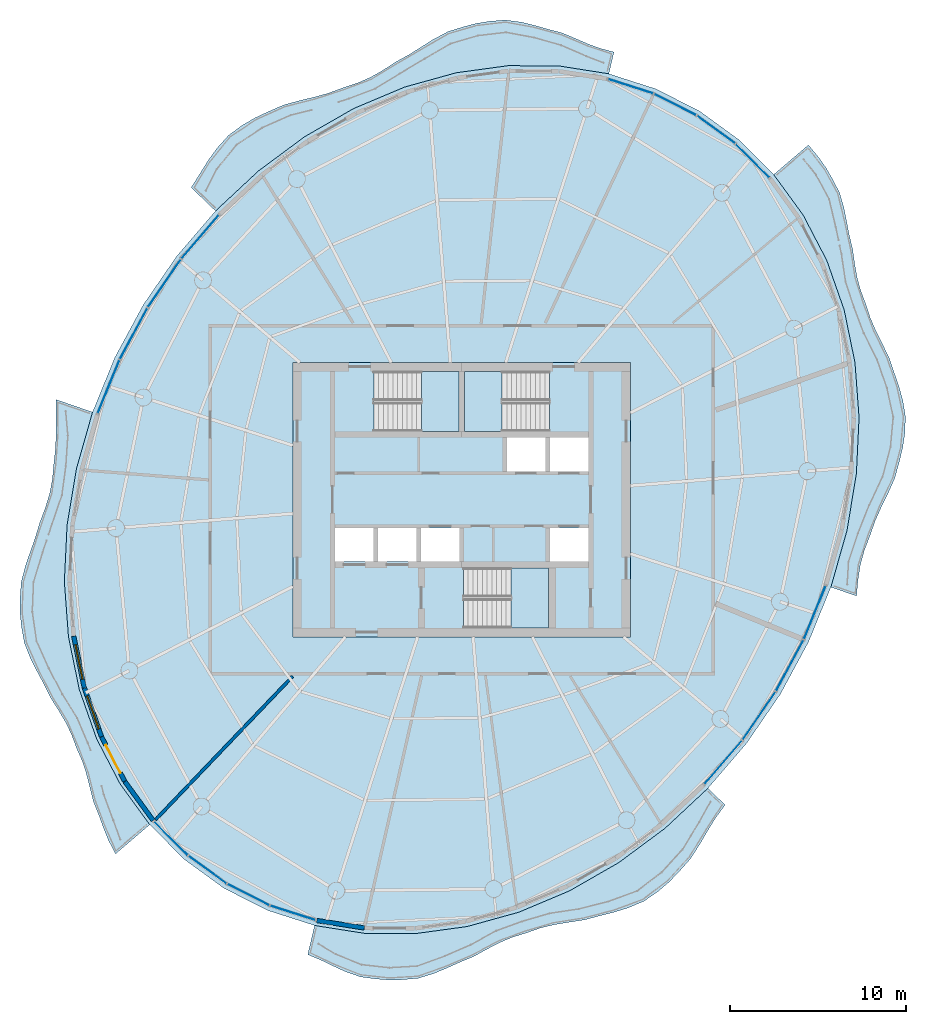
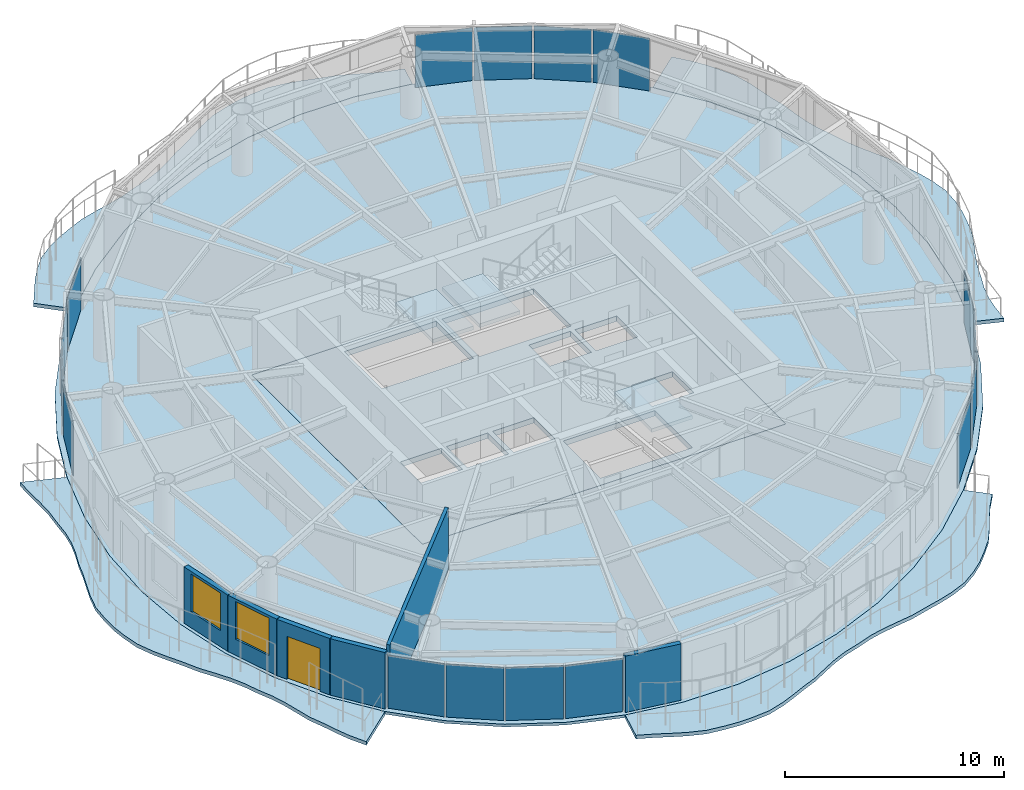
# One storey, part 7 of 14: 16 plates, 9 slabs, 6 walls, 2 windows, 1 door, 3 openings, 19 elements without a shape of their own.
"""IFC4 building model written with IfcOpenShell, lengths in metres."""

import ifcopenshell
import ifcopenshell.guid

model = None  # the IFC model being written
_history = None  # IfcOwnerHistory: only IFC2X3 demands one
_inside = {}  # id of a spatial element -> (the spatial element, [elements in it])
_under = {}  # id of a project, library or spatial element -> (it, [spatial elements below it])
_declared = {}  # id of a project -> (the project, [libraries it declares])
_typed = {}  # id of a type object -> (the type object, [elements of that type])
_made_of = {}  # id of a material, layer set ... -> (it, [elements and type objects made of it])


def new_model(schema):
    """Start an empty IFC model of exactly this schema.

    Asked for "IFC4X3", IfcOpenShell would pick the latest addendum, in which some entities
    have other attributes; the version numbers below select the first issue.
    IFC2X3 requires an IfcOwnerHistory on every rooted entity: one is made here for all.
    """
    global model, _history
    if schema == "IFC4X3":
        model = ifcopenshell.file(schema_version=(4, 3, 0, 0))
    else:
        model = ifcopenshell.file(schema=schema)
    _inside.clear()
    _under.clear()
    _declared.clear()
    _typed.clear()
    _made_of.clear()
    _history = None
    if model.schema == "IFC2X3":
        org = make("IfcOrganization", Name="unknown")
        user = make(
            "IfcPersonAndOrganization",
            ThePerson=make("IfcPerson", FamilyName="unknown"),
            TheOrganization=org,
        )
        app = make(
            "IfcApplication",
            ApplicationDeveloper=org,
            Version="unknown",
            ApplicationFullName="unknown",
            ApplicationIdentifier="unknown",
        )
        _history = make(
            "IfcOwnerHistory",
            OwningUser=user,
            OwningApplication=app,
            ChangeAction="ADDED",
            CreationDate=0,
        )
    return model


def make(cls, **values):
    """One entity of the class cls with the attributes given. An attribute that is None is left unset."""
    return model.create_entity(
        cls, **{name: value for name, value in values.items() if value is not None}
    )


def rooted(cls, **values):
    """An entity with a GlobalId (a new one), such as an element, a storey or a relation."""
    return make(cls, GlobalId=ifcopenshell.guid.new(), OwnerHistory=_history, **values)


def si_unit(unit_type, name, prefix=None):
    """IfcSIUnit, for example si_unit("LENGTHUNIT", "METRE", prefix="MILLI")."""
    return make("IfcSIUnit", UnitType=unit_type, Prefix=prefix, Name=name)


def assignment(units):
    """IfcUnitAssignment: the units of a project."""
    return None if units is None else make("IfcUnitAssignment", Units=units)


def point(xyz):
    """IfcCartesianPoint."""
    return None if xyz is None else make("IfcCartesianPoint", Coordinates=xyz)


def direction(xyz):
    """IfcDirection."""
    return None if xyz is None else make("IfcDirection", DirectionRatios=xyz)


def frame(location, z_axis=None, x_axis=None):
    """IfcAxis2Placement3D, a coordinate frame: its origin and axes. An axis left out is left unset."""
    return make(
        "IfcAxis2Placement3D",
        Location=point(location),
        Axis=direction(z_axis),
        RefDirection=direction(x_axis),
    )


def frame_2d(location, x_axis=None):
    """IfcAxis2Placement2D, a coordinate frame in the plane: its origin and x axis."""
    return make(
        "IfcAxis2Placement2D", Location=point(location), RefDirection=direction(x_axis)
    )


def origin():
    """The frame at (0, 0, 0) with its axes left unset."""
    return frame((0.0, 0.0, 0.0))


def origin_2d():
    """The frame at (0, 0) in the plane with its x axis left unset."""
    return frame_2d((0.0, 0.0))


def place(relative_to, where):
    """IfcLocalPlacement: puts the frame where relative to a parent placement (None: the world)."""
    return make(
        "IfcLocalPlacement", PlacementRelTo=relative_to, RelativePlacement=where
    )


def context(
    kind, dimensions, precision=None, world=None, true_north=None, identifier=None
):
    """IfcGeometricRepresentationContext, for example the 3D "Model" context."""
    return make(
        "IfcGeometricRepresentationContext",
        ContextIdentifier=identifier,
        ContextType=kind,
        CoordinateSpaceDimension=dimensions,
        Precision=precision,
        WorldCoordinateSystem=world,
        TrueNorth=true_north,
    )


def subcontext(parent, identifier, kind, view, scale=None):
    """IfcGeometricRepresentationSubContext, for example "Body" below "Model"."""
    return make(
        "IfcGeometricRepresentationSubContext",
        ContextIdentifier=identifier,
        ContextType=kind,
        ParentContext=parent,
        TargetScale=scale,
        TargetView=view,
    )


def project(units=None, contexts=None):
    """IfcProject with its units and contexts."""
    return rooted(
        "IfcProject",
        Name="project",
        RepresentationContexts=contexts,
        UnitsInContext=assignment(units),
    )


def spatial(cls, under=None, at=None, **own):
    """A site, building, storey or space (cls), placed at a placement, below another one or the project."""
    s = rooted(cls, ObjectPlacement=at, **own)
    if under is not None:
        _under.setdefault(under.id(), (under, []))[1].append(s)
    return s


def polyline(points):
    """IfcPolyline through the points."""
    return make("IfcPolyline", Points=[point(p) for p in points])


def profile(cls, at=None, kind="AREA", **sizes):
    """A parametric profile (cls). Its sizes go by their IFC names, for example OverallWidth=200.0."""
    return make(cls, ProfileType=kind, Position=at, **sizes)


def rectangle(**sizes):
    """IfcRectangleProfileDef."""
    return profile("IfcRectangleProfileDef", **sizes)


def outline(outer, holes=None, kind="AREA"):
    """IfcArbitraryClosedProfileDef: a profile drawn as a closed curve; with holes, ...WithVoids."""
    if holes is None:
        return make("IfcArbitraryClosedProfileDef", ProfileType=kind, OuterCurve=outer)
    return make(
        "IfcArbitraryProfileDefWithVoids",
        ProfileType=kind,
        OuterCurve=outer,
        InnerCurves=holes,
    )


def extrude(swept, where, along, depth):
    """IfcExtrudedAreaSolid: the profile swept, set in the frame where, extruded along a direction by depth."""
    return make(
        "IfcExtrudedAreaSolid",
        SweptArea=swept,
        Position=where,
        ExtrudedDirection=direction(along),
        Depth=depth,
    )


def shape(context_of_items, identifier, shape_type, items):
    """IfcShapeRepresentation: the items that make up one representation, for example the "Body"."""
    return make(
        "IfcShapeRepresentation",
        ContextOfItems=context_of_items,
        RepresentationIdentifier=identifier,
        RepresentationType=shape_type,
        Items=items,
    )


def material(Name=None, Category=None):
    """IfcMaterial."""
    return make("IfcMaterial", Name=Name, Category=Category)


def layer(
    of_material, thickness, ventilated=None, Name=None, Category=None, Priority=None
):
    """IfcMaterialLayer: one layer of a wall or slab, of a material (None: an air gap)."""
    return make(
        "IfcMaterialLayer",
        Material=of_material,
        LayerThickness=thickness,
        IsVentilated=ventilated,
        Name=Name,
        Category=Category,
        Priority=Priority,
    )


def layer_set(layers, Name=None):
    """IfcMaterialLayerSet."""
    return make("IfcMaterialLayerSet", MaterialLayers=layers, LayerSetName=Name)


def made_of(thing, what):
    """Note that an element or type object is made of a material, layer set ...; save() writes the relation."""
    if what is not None:
        _made_of.setdefault(what.id(), (what, []))[1].append(thing)
    return thing


def type_object(cls, material=None, **own):
    """A type object (cls), such as IfcWallType, which elements share."""
    return made_of(rooted(cls, **own), material)


def element(
    cls,
    number,
    at=None,
    inside=None,
    cuts=None,
    type_object=None,
    material=None,
    context=None,
    identifier="Body",
    shape_type=None,
    held_by="IfcProductDefinitionShape",
    body=None,
    shapes=None,
    **own,
):
    """One element of the class cls, such as IfcWall. Its Tag is "e" and its number.

    at: its placement. inside: the storey or other place that contains it. cuts: it is an
    opening in that element (IfcRelVoidsElement). A single representation is given by context,
    identifier, shape_type and body (its items); several are given by shapes. held_by: the class
    of the entity that holds the representations. save() writes the other relations.
    """
    e = rooted(cls, Tag="e%d" % number, ObjectPlacement=at, **own)
    if body is not None:
        shapes = [shape(context, identifier, shape_type, body)]
    if shapes is not None:
        e.Representation = make(held_by, Representations=shapes)
    if inside is not None:
        _inside.setdefault(inside.id(), (inside, []))[1].append(e)
    if cuts is not None:
        rooted(
            "IfcRelVoidsElement", RelatingBuildingElement=cuts, RelatedOpeningElement=e
        )
    if type_object is not None:
        _typed.setdefault(type_object.id(), (type_object, []))[1].append(e)
    return made_of(e, material)


def fill(opening, filler):
    """IfcRelFillsElement: the door or window that sits in an opening."""
    return rooted(
        "IfcRelFillsElement",
        RelatingOpeningElement=opening,
        RelatedBuildingElement=filler,
    )


def aggregate(whole, parts):
    """IfcRelAggregates: a whole, such as a stair, and the parts it consists of."""
    return rooted("IfcRelAggregates", RelatingObject=whole, RelatedObjects=parts)


def save(model, path):
    """Write the relations noted so far, then the file.

    IfcRelAggregates (storeys below a building ...), IfcRelContainedInSpatialStructure (elements
    in a storey), IfcRelDefinesByType, IfcRelAssociatesMaterial and IfcRelDeclares: one each for
    every whole, place, type object, material and project.
    """
    for whole, parts in _under.values():
        aggregate(whole, parts)
    for where, things in _inside.values():
        rooted(
            "IfcRelContainedInSpatialStructure",
            RelatedElements=things,
            RelatingStructure=where,
        )
    for kind, things in _typed.values():
        rooted("IfcRelDefinesByType", RelatedObjects=things, RelatingType=kind)
    for what, things in _made_of.values():
        rooted("IfcRelAssociatesMaterial", RelatedObjects=things, RelatingMaterial=what)
    for by, libraries in _declared.values():
        rooted("IfcRelDeclares", RelatingContext=by, RelatedDefinitions=libraries)
    model.write(path)


model = new_model("IFC4")

# Units and contexts
model_context = context("Model", 3, precision=1e-05, world=origin(), true_north=direction((0.0, 1.0)))
body_context = subcontext(model_context, "Body", "Model", "MODEL_VIEW")
ifc_project = project(units=[si_unit("LENGTHUNIT", "METRE"), si_unit("AREAUNIT", "SQUARE_METRE"), si_unit("VOLUMEUNIT", "CUBIC_METRE"), si_unit("PLANEANGLEUNIT", "RADIAN"), si_unit("MASSUNIT", "GRAM", prefix="KILO")], contexts=[model_context])

# Site, building, storey
site_placement = place(None, origin())
site = spatial("IfcSite", under=ifc_project, at=site_placement, CompositionType="ELEMENT")
building_placement = place(site_placement, origin())
building = spatial("IfcBuilding", under=site, at=building_placement, Name="Vermilion Reach Broadcast Tower", CompositionType="ELEMENT")
storey_placement = place(building_placement, frame((0.0, 0.0, 268.5)))
storey = spatial("IfcBuildingStorey", under=building, at=storey_placement, Name="L66", CompositionType="ELEMENT", Elevation=268.5)

# Slabs
ifc_material_1 = material(Name="Concrete C40/50", Category="concrete")
ifc_layer_1 = layer(ifc_material_1, 0.199951171875)
ifc_layer_set_1 = layer_set([ifc_layer_1], Name="Balcony slab 200")
slab_type_1 = type_object("IfcSlabType", Name="Balcony slab 200", PredefinedType="FLOOR", material=ifc_layer_set_1)
placement_1 = place(storey_placement, frame((0.0, 0.0, -0.199951171875)))
element("IfcSlab", 1, at=placement_1, inside=storey, type_object=slab_type_1, Name="Balcony slab L66 group 1", PredefinedType="FLOOR", context=body_context, shape_type="SweptSolid", body=[
    extrude(outline(polyline([(2.36767578125, 24.22412109375), (-0.445068359375, 24.66650390625), (-3.3525390625, 24.686767578125), (-6.3056640625, 24.28466796875), (-9.25341796875, 23.46728515625), (-12.145263671875, 22.248046875), (-14.93212890625, 20.648193359375), (-17.56640625, 18.695068359375), (-20.00244140625, 16.422119140625), (-21.388671875, 17.75341796875), (-20.87353515625, 18.576904296875), (-20.416015625, 19.307373046875), (-19.9189453125, 19.99560546875), (-19.259033203125, 20.727783203125), (-18.47802734375, 21.30126953125), (-17.76513671875, 21.71630859375), (-17.007568359375, 22.070556640625), (-16.115966796875, 22.45654296875), (-15.189208984375, 22.70947265625), (-14.3740234375, 22.903076171875), (-13.5751953125, 23.125244140625), (-12.735107421875, 23.438232421875), (-11.91015625, 23.7099609375), (-11.191162109375, 24.024169921875), (-10.5029296875, 24.411865234375), (-9.751953125, 24.900634765625), (-8.9755859375, 25.3271484375), (-8.2998046875, 25.75244140625), (-7.624267578125, 26.177978515625), (-6.78662109375, 26.622314453125), (-5.909423828125, 26.896728515625), (-5.18359375, 27.0888671875), (-4.4482421875, 27.21044921875), (-3.51953125, 27.28466796875), (-2.6083984375, 27.162353515625), (-1.882568359375, 26.988525390625), (-1.1572265625, 26.778564453125), (-0.291015625, 26.552001953125), (0.5185546875, 26.2119140625), (1.193115234375, 25.919921875), (1.87451171875, 25.6708984375), (2.662109375, 25.463134765625), (2.36767578125, 24.22412109375)])), origin(), (0.0, 0.0, 1.0), 0.199951171875),
])
element("IfcSlab", 2, at=placement_1, inside=storey, type_object=slab_type_1, Name="Balcony slab L66 group 2", PredefinedType="FLOOR", context=body_context, shape_type="SweptSolid", body=[
    extrude(outline(polyline([(-26.999755859375, 4.976806640625), (-27.912353515625, 1.7724609375), (-28.449951171875, -1.46240234375), (-28.603271484375, -4.672119140625), (-28.3701171875, -7.802001953125), (-27.754150390625, -10.79833984375), (-26.765869140625, -13.60986328125), (-25.42236328125, -16.188720703125), (-23.746337890625, -18.490234375), (-25.69287109375, -20.152099609375), (-26.116455078125, -19.33544921875), (-26.387939453125, -18.65283203125), (-26.6376953125, -17.9541015625), (-26.961181640625, -17.142333984375), (-27.17626953125, -16.282958984375), (-27.360107421875, -15.55908203125), (-27.59033203125, -14.859130859375), (-27.91845703125, -14.109619140625), (-28.209716796875, -13.32763671875), (-28.53857421875, -12.653564453125), (-28.926513671875, -12.000244140625), (-29.396484375, -11.253662109375), (-29.796875, -10.4375), (-30.176513671875, -9.73486328125), (-30.53369140625, -9.027587890625), (-30.87841796875, -8.15185546875), (-31.0478515625, -7.21484375), (-31.126953125, -6.433837890625), (-31.125244140625, -5.64697265625), (-31.060791015625, -4.704833984375), (-30.81787109375, -3.761962890625), (-30.544921875, -2.970703125), (-30.26318359375, -2.179931640625), (-29.99853515625, -1.29736328125), (-29.67431640625, -0.427978515625), (-29.4365234375, 0.363525390625), (-29.283447265625, 1.169189453125), (-29.204833984375, 2.062744140625), (-29.10205078125, 2.977294921875), (-29.079345703125, 3.8369140625), (-29.089599609375, 4.705810546875), (-29.06884765625, 5.69091796875), (-26.999755859375, 4.976806640625)])), origin(), (0.0, 0.0, 1.0), 0.199951171875),
])
element("IfcSlab", 3, at=placement_1, inside=storey, type_object=slab_type_1, Name="Balcony slab L66 group 3", PredefinedType="FLOOR", context=body_context, shape_type="SweptSolid", body=[
    extrude(outline(polyline([(-14.36767578125, -24.22412109375), (-11.554931640625, -24.66650390625), (-8.6474609375, -24.686767578125), (-5.6943359375, -24.28466796875), (-2.74658203125, -23.46728515625), (0.145263671875, -22.248046875), (2.93212890625, -20.648193359375), (5.56640625, -18.695068359375), (8.00244140625, -16.422119140625), (8.985107421875, -17.36572265625), (8.439208984375, -18.111083984375), (7.98486328125, -18.845458984375), (7.5478515625, -19.597900390625), (7.011962890625, -20.43115234375), (6.37109375, -21.156982421875), (5.794189453125, -21.755126953125), (5.168701171875, -22.2880859375), (4.367431640625, -22.841064453125), (3.481201171875, -23.218017578125), (2.694091796875, -23.460693359375), (1.884521484375, -23.664306640625), (0.96826171875, -23.908935546875), (0.052978515625, -24.048583984375), (-0.743408203125, -24.179443359375), (-1.5166015625, -24.365234375), (-2.334716796875, -24.6513671875), (-3.142578125, -24.901611328125), (-3.852783203125, -25.201904296875), (-4.546142578125, -25.563232421875), (-5.341552734375, -25.999755859375), (-6.166748046875, -26.3388671875), (-6.875, -26.65966796875), (-7.586669921875, -26.955078125), (-8.48388671875, -27.2294921875), (-9.392578125, -27.310302734375), (-10.11962890625, -27.324951171875), (-10.84619140625, -27.269775390625), (-11.7578125, -27.148681640625), (-12.61865234375, -26.847412109375), (-13.290771484375, -26.539794921875), (-13.96044921875, -26.21630859375), (-14.76025390625, -25.87646484375), (-14.36767578125, -24.22412109375)])), origin(), (0.0, 0.0, 1.0), 0.199951171875),
])
element("IfcSlab", 4, at=placement_1, inside=storey, type_object=slab_type_1, Name="Balcony slab L66 group 4", PredefinedType="FLOOR", context=body_context, shape_type="SweptSolid", body=[
    extrude(outline(polyline([(14.999755859375, -4.976806640625), (15.912353515625, -1.7724609375), (16.449951171875, 1.46240234375), (16.603271484375, 4.672119140625), (16.3701171875, 7.802001953125), (15.754150390625, 10.79833984375), (14.765869140625, 13.60986328125), (13.42236328125, 16.188720703125), (11.746337890625, 18.490234375), (13.72119140625, 20.17626953125), (14.30419921875, 19.47216796875), (14.71533203125, 18.89111328125), (15.073486328125, 18.271484375), (15.490966796875, 17.470703125), (15.747802734375, 16.58056640625), (15.89501953125, 15.837646484375), (16.034912109375, 15.0908203125), (16.239990234375, 14.249267578125), (16.359130859375, 13.380126953125), (16.49169921875, 12.63720703125), (16.688232421875, 11.91650390625), (16.982177734375, 11.138671875), (17.245361328125, 10.32421875), (17.554443359375, 9.60693359375), (17.90966796875, 8.899169921875), (18.31396484375, 8.0732421875), (18.615478515625, 7.1826171875), (18.87939453125, 6.41552734375), (19.091552734375, 5.64453125), (19.24560546875, 4.707275390625), (19.202880859375, 3.74365234375), (19.083984375, 2.945068359375), (18.890869140625, 2.14990234375), (18.63623046875, 1.229248046875), (18.239013671875, 0.333984375), (17.86279296875, -0.4345703125), (17.517333984375, -1.2080078125), (17.216796875, -2.0654296875), (16.892333984375, -2.91748046875), (16.67578125, -3.721923828125), (16.544921875, -4.55078125), (16.463623046875, -5.48193359375), (14.999755859375, -4.976806640625)])), origin(), (0.0, 0.0, 1.0), 0.199951171875),
])
ifc_material_2 = material(Name="Concrete C40", Category="concrete")
ifc_layer_2 = layer(ifc_material_2, 0.300048828125)
ifc_layer_set_2 = layer_set([ifc_layer_2], Name="Core floor slab 300 mm Concrete C40")
slab_type_2 = type_object("IfcSlabType", Name="Core floor slab 300 mm Concrete C40", PredefinedType="FLOOR", material=ifc_layer_set_2)
slab_5_placement = place(storey_placement, frame((0.0, 0.0, -0.300048828125)))
element("IfcSlab", 5, at=slab_5_placement, inside=storey, type_object=slab_type_2, Name="L66 core floor", PredefinedType="FLOOR", context=body_context, shape_type="SweptSolid", body=[
    extrude(outline(polyline([(-15.60009765625, -7.800048828125), (3.60009765625, -7.800048828125), (3.60009765625, 7.800048828125), (-15.60009765625, 7.800048828125), (-15.60009765625, -7.800048828125)]), holes=[polyline([(-3.433349609375, 1.60009765625), (-1.24169921875, 1.60009765625), (-1.24169921875, 3.530029296875), (-3.433349609375, 3.530029296875), (-3.433349609375, 1.60009765625)]), polyline([(-0.99169921875, 1.60009765625), (1.199951171875, 1.60009765625), (1.199951171875, 3.530029296875), (-0.99169921875, 3.530029296875), (-0.99169921875, 1.60009765625)]), polyline([(-13.199951171875, -3.530029296875), (-11.00830078125, -3.530029296875), (-11.00830078125, -1.60009765625), (-13.199951171875, -1.60009765625), (-13.199951171875, -3.530029296875)]), polyline([(-10.75830078125, -3.530029296875), (-8.566650390625, -3.530029296875), (-8.566650390625, -1.60009765625), (-10.75830078125, -1.60009765625), (-10.75830078125, -3.530029296875)]), polyline([(-8.316650390625, -3.530029296875), (-6.125, -3.530029296875), (-6.125, -1.60009765625), (-8.316650390625, -1.60009765625), (-8.316650390625, -3.530029296875)]), polyline([(-0.99169921875, -3.530029296875), (1.199951171875, -3.530029296875), (1.199951171875, -1.60009765625), (-0.99169921875, -1.60009765625), (-0.99169921875, -3.530029296875)]), polyline([(-10.999267578125, 3.8798828125), (-6.14990234375, 3.8798828125), (-6.14990234375, 7.300048828125), (-10.999267578125, 7.300048828125), (-10.999267578125, 3.8798828125)]), polyline([(-1.000732421875, 7.300048828125), (-5.85009765625, 7.300048828125), (-5.85009765625, 3.8798828125), (-1.000732421875, 3.8798828125), (-1.000732421875, 7.300048828125)]), polyline([(-5.8994140625, -7.300048828125), (-1.050048828125, -7.300048828125), (-1.050048828125, -3.8798828125), (-5.8994140625, -3.8798828125), (-5.8994140625, -7.300048828125)])]), origin(), (0.0, 0.0, 1.0), 0.300048828125),
])

# Stair, slab
ifc_material_3 = material(Name="Concrete C40", Category="concrete")
stair_type = type_object("IfcStairType", Name="Exit stair RC 22 risers 164 mm", PredefinedType="HALF_TURN_STAIR", material=ifc_material_3)
placement_2 = place(storey_placement, origin())
stair_1 = element("IfcStair", 6, at=placement_2, inside=storey, type_object=stair_type, Name="L66 Exit stair ST1", PredefinedType="HALF_TURN_STAIR")
ifc_material_4 = material(Name="Concrete C40", Category="concrete")
ifc_layer_3 = layer(ifc_material_4, 0.199951171875)
ifc_layer_set_3 = layer_set([ifc_layer_3], Name="Exit stair landing Concrete C40")
slab_type_3 = type_object("IfcSlabType", Name="Exit stair landing Concrete C40", PredefinedType="LANDING", material=ifc_layer_set_3)
placement_3 = place(storey_placement, frame((0.0, 0.0, 1.60009765625)))
slab_6 = element("IfcSlab", 7, at=placement_3, type_object=slab_type_3, Name="ST1 landing 1", PredefinedType="LANDING", context=body_context, shape_type="SweptSolid", body=[
    extrude(outline(polyline([(-8.300048828125, 3.8798828125), (-6.14990234375, 3.8798828125), (-6.14990234375, 7.300048828125), (-8.300048828125, 7.300048828125), (-8.300048828125, 3.8798828125)])), origin(), (0.0, 0.0, 1.0), 0.199951171875),
])
aggregate(stair_1, [slab_6])

stair_2 = element("IfcStair", 8, at=placement_2, inside=storey, type_object=stair_type, Name="L66 Exit stair ST2", PredefinedType="HALF_TURN_STAIR")
slab_7 = element("IfcSlab", 9, at=placement_3, type_object=slab_type_3, Name="ST2 landing 1", PredefinedType="LANDING", context=body_context, shape_type="SweptSolid", body=[
    extrude(outline(polyline([(-3.699951171875, 7.300048828125), (-5.85009765625, 7.300048828125), (-5.85009765625, 3.8798828125), (-3.699951171875, 3.8798828125), (-3.699951171875, 7.300048828125)])), origin(), (0.0, 0.0, 1.0), 0.199951171875),
])
aggregate(stair_2, [slab_7])

stair_3 = element("IfcStair", 10, at=placement_2, inside=storey, type_object=stair_type, Name="L66 Exit stair ST3", PredefinedType="HALF_TURN_STAIR")
slab_8 = element("IfcSlab", 11, at=placement_3, type_object=slab_type_3, Name="ST3 landing 1", PredefinedType="LANDING", context=body_context, shape_type="SweptSolid", body=[
    extrude(outline(polyline([(-3.199951171875, -7.300048828125), (-1.050048828125, -7.300048828125), (-1.050048828125, -3.8798828125), (-3.199951171875, -3.8798828125), (-3.199951171875, -7.300048828125)])), origin(), (0.0, 0.0, 1.0), 0.199951171875),
])
aggregate(stair_3, [slab_8])

# Slab
ifc_material_5 = material(Name="Concrete C40", Category="concrete")
ifc_layer_4 = layer(ifc_material_5, 0.14990234375)
ifc_layer_set_4 = layer_set([ifc_layer_4], Name="Floor slab Concrete C40 composite 150")
slab_type_4 = type_object("IfcSlabType", Name="Floor slab Concrete C40 composite 150", PredefinedType="FLOOR", material=ifc_layer_set_4)
slab_9_placement = place(storey_placement, frame((0.0, 0.0, -0.14990234375)))
element("IfcSlab", 12, at=slab_9_placement, inside=storey, type_object=slab_type_4, Name="Floor slab L66", PredefinedType="FLOOR", context=body_context, shape_type="SweptSolid", body=[
    extrude(outline(polyline([(7.517578125, 22.110595703125), (5.037109375, 23.367431640625), (2.36767578125, 24.22412109375), (-0.445068359375, 24.66650390625), (-3.3525390625, 24.686767578125), (-6.3056640625, 24.28466796875), (-9.25341796875, 23.46728515625), (-12.145263671875, 22.248046875), (-14.93212890625, 20.648193359375), (-17.56640625, 18.695068359375), (-20.00244140625, 16.422119140625), (-22.198974609375, 13.8681640625), (-24.118408203125, 11.076904296875), (-25.727783203125, 8.09619140625), (-26.999755859375, 4.976806640625), (-27.912353515625, 1.7724609375), (-28.449951171875, -1.46240234375), (-28.603271484375, -4.672119140625), (-28.3701171875, -7.802001953125), (-27.754150390625, -10.79833984375), (-26.765869140625, -13.60986328125), (-25.42236328125, -16.188720703125), (-23.746337890625, -18.490234375), (-21.766845703125, -20.4755859375), (-19.517578125, -22.110595703125), (-17.037109375, -23.367431640625), (-14.36767578125, -24.22412109375), (-11.554931640625, -24.66650390625), (-8.6474609375, -24.686767578125), (-5.6943359375, -24.28466796875), (-2.74658203125, -23.46728515625), (0.145263671875, -22.248046875), (2.93212890625, -20.648193359375), (5.56640625, -18.695068359375), (8.00244140625, -16.422119140625), (10.198974609375, -13.8681640625), (12.118408203125, -11.076904296875), (13.727783203125, -8.09619140625), (14.999755859375, -4.976806640625), (15.912353515625, -1.7724609375), (16.449951171875, 1.46240234375), (16.603271484375, 4.672119140625), (16.3701171875, 7.802001953125), (15.754150390625, 10.79833984375), (14.765869140625, 13.60986328125), (13.42236328125, 16.188720703125), (11.746337890625, 18.490234375), (9.766845703125, 20.4755859375), (7.517578125, 22.110595703125)]), holes=[polyline([(-15.60009765625, -7.800048828125), (3.60009765625, -7.800048828125), (3.60009765625, 7.800048828125), (-15.60009765625, 7.800048828125), (-15.60009765625, -7.800048828125)])]), origin(), (0.0, 0.0, 1.0), 0.14990234375),
])

# Curtain wall, plate
ifc_material_6 = material(Name="Low-e laminated clear glass in aluminium frame", Category="aluminium")
curtain_wall_type = type_object("IfcCurtainWallType", Name="Slot curtain wall", PredefinedType="NOTDEFINED", material=ifc_material_6)
curtain_wall_1 = element("IfcCurtainWall", 13, at=placement_2, inside=storey, type_object=curtain_wall_type, Name="Slot curtain wall L66 46", PredefinedType="NOTDEFINED")
ifc_material_7 = material(Name="Low-e laminated clear glass", Category="glass")
ifc_layer_5 = layer(ifc_material_7, 0.028076171875)
ifc_layer_set_5 = layer_set([ifc_layer_5], Name="Slot glass panel")
plate_type = type_object("IfcPlateType", Name="Slot glass panel", PredefinedType="CURTAIN_PANEL", material=ifc_layer_set_5)
plate_1_placement = place(storey_placement, frame((10.544921875, 19.271728515625, 0.0), z_axis=(0.0, 0.0, 1.0), x_axis=(-0.706062516198, 0.708149506263, 0.0)))
plate_1 = element("IfcPlate", 14, at=plate_1_placement, type_object=plate_type, Name="Slot glass panel L66 46", PredefinedType="CURTAIN_PANEL", context=body_context, shape_type="SweptSolid", body=[
    extrude(rectangle(XDim=2.676513671875, YDim=0.028076171875, at=origin_2d()), origin(), (0.0, 0.0, 1.0), 2.949951171875),
])
aggregate(curtain_wall_1, [plate_1])

curtain_wall_2 = element("IfcCurtainWall", 15, at=placement_2, inside=storey, type_object=curtain_wall_type, Name="Slot curtain wall L66 47", PredefinedType="NOTDEFINED")
plate_2_placement = place(storey_placement, frame((8.466552734375, 21.05126953125, 0.0), z_axis=(0.0, 0.0, 1.0), x_axis=(-0.808880963636, 0.587972436996, 0.0)))
plate_2 = element("IfcPlate", 16, at=plate_2_placement, type_object=plate_type, Name="Slot glass panel L66 47", PredefinedType="CURTAIN_PANEL", context=body_context, shape_type="SweptSolid", body=[
    extrude(rectangle(XDim=2.653076171875, YDim=0.028076171875, at=origin_2d()), origin(), (0.0, 0.0, 1.0), 2.949951171875),
])
aggregate(curtain_wall_2, [plate_2])

curtain_wall_3 = element("IfcCurtainWall", 17, at=placement_2, inside=storey, type_object=curtain_wall_type, Name="Slot curtain wall L66 00", PredefinedType="NOTDEFINED")
plate_3_placement = place(storey_placement, frame((6.14208984375, 22.47216796875, 0.0), z_axis=(0.0, 0.0, 1.0), x_axis=(-0.892060013105, 0.451916953675, 0.0)))
plate_3 = element("IfcPlate", 18, at=plate_3_placement, type_object=plate_type, Name="Slot glass panel L66 00", PredefinedType="CURTAIN_PANEL", context=body_context, shape_type="SweptSolid", body=[
    extrude(rectangle(XDim=2.653076171875, YDim=0.028076171875, at=origin_2d()), origin(), (0.0, 0.0, 1.0), 2.949951171875),
])
aggregate(curtain_wall_3, [plate_3])

curtain_wall_4 = element("IfcCurtainWall", 19, at=placement_2, inside=storey, type_object=curtain_wall_type, Name="Slot curtain wall L66 01", PredefinedType="NOTDEFINED")
plate_4_placement = place(storey_placement, frame((3.61083984375, 23.510986328125, 0.0), z_axis=(0.0, 0.0, 1.0), x_axis=(-0.952153732545, 0.305619484982, 0.0)))
plate_4 = element("IfcPlate", 20, at=plate_4_placement, type_object=plate_type, Name="Slot glass panel L66 01", PredefinedType="CURTAIN_PANEL", context=body_context, shape_type="SweptSolid", body=[
    extrude(rectangle(XDim=2.676513671875, YDim=0.028076171875, at=origin_2d()), origin(), (0.0, 0.0, 1.0), 2.949951171875),
])
aggregate(curtain_wall_4, [plate_4])

curtain_wall_5 = element("IfcCurtainWall", 21, at=placement_2, inside=storey, type_object=curtain_wall_type, Name="Slot curtain wall L66 10", PredefinedType="NOTDEFINED")
plate_5_placement = place(storey_placement, frame((-20.873779296875, 14.94970703125, 0.0), z_axis=(0.0, 0.0, 1.0), x_axis=(-0.65206569781, -0.758162466586, 0.0)))
plate_5 = element("IfcPlate", 22, at=plate_5_placement, type_object=plate_type, Name="Slot glass panel L66 10", PredefinedType="CURTAIN_PANEL", context=body_context, shape_type="SweptSolid", body=[
    extrude(rectangle(XDim=3.256103515625, YDim=0.028076171875, at=origin_2d()), origin(), (0.0, 0.0, 1.0), 2.949951171875),
])
aggregate(curtain_wall_5, [plate_5])

curtain_wall_6 = element("IfcCurtainWall", 23, at=placement_2, inside=storey, type_object=curtain_wall_type, Name="Slot curtain wall L66 11", PredefinedType="NOTDEFINED")
plate_6_placement = place(storey_placement, frame((-22.911865234375, 12.302734375, 0.0), z_axis=(0.0, 0.0, 1.0), x_axis=(-0.566612264031, -0.823984552191, 0.0)))
plate_6 = element("IfcPlate", 24, at=plate_6_placement, type_object=plate_type, Name="Slot glass panel L66 11", PredefinedType="CURTAIN_PANEL", context=body_context, shape_type="SweptSolid", body=[
    extrude(rectangle(XDim=3.275390625, YDim=0.028076171875, at=origin_2d()), origin(), (0.0, 0.0, 1.0), 2.949951171875),
])
aggregate(curtain_wall_6, [plate_6])

curtain_wall_7 = element("IfcCurtainWall", 25, at=placement_2, inside=storey, type_object=curtain_wall_type, Name="Slot curtain wall L66 12", PredefinedType="NOTDEFINED")
plate_7_placement = place(storey_placement, frame((-24.65966796875, 9.4443359375, 0.0), z_axis=(0.0, 0.0, 1.0), x_axis=(-0.47509707354, -0.87993338993, 0.0)))
plate_7 = element("IfcPlate", 26, at=plate_7_placement, type_object=plate_type, Name="Slot glass panel L66 12", PredefinedType="CURTAIN_PANEL", context=body_context, shape_type="SweptSolid", body=[
    extrude(rectangle(XDim=3.275390625, YDim=0.028076171875, at=origin_2d()), origin(), (0.0, 0.0, 1.0), 2.949951171875),
])
aggregate(curtain_wall_7, [plate_7])

curtain_wall_8 = element("IfcCurtainWall", 27, at=placement_2, inside=storey, type_object=curtain_wall_type, Name="Slot curtain wall L66 13", PredefinedType="NOTDEFINED")
plate_8_placement = place(storey_placement, frame((-26.08642578125, 6.42333984375, 0.0), z_axis=(0.0, 0.0, 1.0), x_axis=(-0.377557432476, -0.925986169001, 0.0)))
plate_8 = element("IfcPlate", 28, at=plate_8_placement, type_object=plate_type, Name="Slot glass panel L66 13", PredefinedType="CURTAIN_PANEL", context=body_context, shape_type="SweptSolid", body=[
    extrude(rectangle(XDim=3.256103515625, YDim=0.028076171875, at=origin_2d()), origin(), (0.0, 0.0, 1.0), 2.949951171875),
])
aggregate(curtain_wall_8, [plate_8])

curtain_wall_9 = element("IfcCurtainWall", 29, at=placement_2, inside=storey, type_object=curtain_wall_type, Name="Slot curtain wall L66 22", PredefinedType="NOTDEFINED")
plate_9_placement = place(storey_placement, frame((-22.544921875, -19.271728515625, 0.0), z_axis=(0.0, 0.0, 1.0), x_axis=(0.706062516198, -0.708149506263, 0.0)))
plate_9 = element("IfcPlate", 30, at=plate_9_placement, type_object=plate_type, Name="Slot glass panel L66 22", PredefinedType="CURTAIN_PANEL", context=body_context, shape_type="SweptSolid", body=[
    extrude(rectangle(XDim=2.676513671875, YDim=0.028076171875, at=origin_2d()), origin(), (0.0, 0.0, 1.0), 2.949951171875),
])
aggregate(curtain_wall_9, [plate_9])

curtain_wall_10 = element("IfcCurtainWall", 31, at=placement_2, inside=storey, type_object=curtain_wall_type, Name="Slot curtain wall L66 23", PredefinedType="NOTDEFINED")
plate_10_placement = place(storey_placement, frame((-20.466552734375, -21.05126953125, 0.0), z_axis=(0.0, 0.0, 1.0), x_axis=(0.808880963636, -0.587972436996, 0.0)))
plate_10 = element("IfcPlate", 32, at=plate_10_placement, type_object=plate_type, Name="Slot glass panel L66 23", PredefinedType="CURTAIN_PANEL", context=body_context, shape_type="SweptSolid", body=[
    extrude(rectangle(XDim=2.653076171875, YDim=0.028076171875, at=origin_2d()), origin(), (0.0, 0.0, 1.0), 2.949951171875),
])
aggregate(curtain_wall_10, [plate_10])

curtain_wall_11 = element("IfcCurtainWall", 33, at=placement_2, inside=storey, type_object=curtain_wall_type, Name="Slot curtain wall L66 24", PredefinedType="NOTDEFINED")
plate_11_placement = place(storey_placement, frame((-18.14208984375, -22.47216796875, 0.0), z_axis=(0.0, 0.0, 1.0), x_axis=(0.892060013105, -0.451916953675, 0.0)))
plate_11 = element("IfcPlate", 34, at=plate_11_placement, type_object=plate_type, Name="Slot glass panel L66 24", PredefinedType="CURTAIN_PANEL", context=body_context, shape_type="SweptSolid", body=[
    extrude(rectangle(XDim=2.653076171875, YDim=0.028076171875, at=origin_2d()), origin(), (0.0, 0.0, 1.0), 2.949951171875),
])
aggregate(curtain_wall_11, [plate_11])

curtain_wall_12 = element("IfcCurtainWall", 35, at=placement_2, inside=storey, type_object=curtain_wall_type, Name="Slot curtain wall L66 25", PredefinedType="NOTDEFINED")
plate_12_placement = place(storey_placement, frame((-15.61083984375, -23.510986328125, 0.0), z_axis=(0.0, 0.0, 1.0), x_axis=(0.952153732545, -0.305619484982, 0.0)))
plate_12 = element("IfcPlate", 36, at=plate_12_placement, type_object=plate_type, Name="Slot glass panel L66 25", PredefinedType="CURTAIN_PANEL", context=body_context, shape_type="SweptSolid", body=[
    extrude(rectangle(XDim=2.676513671875, YDim=0.028076171875, at=origin_2d()), origin(), (0.0, 0.0, 1.0), 2.949951171875),
])
aggregate(curtain_wall_12, [plate_12])

curtain_wall_13 = element("IfcCurtainWall", 37, at=placement_2, inside=storey, type_object=curtain_wall_type, Name="Slot curtain wall L66 34", PredefinedType="NOTDEFINED")
plate_13_placement = place(storey_placement, frame((8.873779296875, -14.94970703125, 0.0), z_axis=(0.0, 0.0, 1.0), x_axis=(0.65206569781, 0.758162466586, 0.0)))
plate_13 = element("IfcPlate", 38, at=plate_13_placement, type_object=plate_type, Name="Slot glass panel L66 34", PredefinedType="CURTAIN_PANEL", context=body_context, shape_type="SweptSolid", body=[
    extrude(rectangle(XDim=3.256103515625, YDim=0.028076171875, at=origin_2d()), origin(), (0.0, 0.0, 1.0), 2.949951171875),
])
aggregate(curtain_wall_13, [plate_13])

curtain_wall_14 = element("IfcCurtainWall", 39, at=placement_2, inside=storey, type_object=curtain_wall_type, Name="Slot curtain wall L66 35", PredefinedType="NOTDEFINED")
plate_14_placement = place(storey_placement, frame((10.911865234375, -12.302734375, 0.0), z_axis=(0.0, 0.0, 1.0), x_axis=(0.566612264031, 0.823984552191, 0.0)))
plate_14 = element("IfcPlate", 40, at=plate_14_placement, type_object=plate_type, Name="Slot glass panel L66 35", PredefinedType="CURTAIN_PANEL", context=body_context, shape_type="SweptSolid", body=[
    extrude(rectangle(XDim=3.275390625, YDim=0.028076171875, at=origin_2d()), origin(), (0.0, 0.0, 1.0), 2.949951171875),
])
aggregate(curtain_wall_14, [plate_14])

curtain_wall_15 = element("IfcCurtainWall", 41, at=placement_2, inside=storey, type_object=curtain_wall_type, Name="Slot curtain wall L66 36", PredefinedType="NOTDEFINED")
plate_15_placement = place(storey_placement, frame((12.65966796875, -9.4443359375, 0.0), z_axis=(0.0, 0.0, 1.0), x_axis=(0.47509707354, 0.87993338993, 0.0)))
plate_15 = element("IfcPlate", 42, at=plate_15_placement, type_object=plate_type, Name="Slot glass panel L66 36", PredefinedType="CURTAIN_PANEL", context=body_context, shape_type="SweptSolid", body=[
    extrude(rectangle(XDim=3.275390625, YDim=0.028076171875, at=origin_2d()), origin(), (0.0, 0.0, 1.0), 2.949951171875),
])
aggregate(curtain_wall_15, [plate_15])

curtain_wall_16 = element("IfcCurtainWall", 43, at=placement_2, inside=storey, type_object=curtain_wall_type, Name="Slot curtain wall L66 37", PredefinedType="NOTDEFINED")
plate_16_placement = place(storey_placement, frame((14.08642578125, -6.42333984375, 0.0), z_axis=(0.0, 0.0, 1.0), x_axis=(0.377557432476, 0.925986169001, 0.0)))
plate_16 = element("IfcPlate", 44, at=plate_16_placement, type_object=plate_type, Name="Slot glass panel L66 37", PredefinedType="CURTAIN_PANEL", context=body_context, shape_type="SweptSolid", body=[
    extrude(rectangle(XDim=3.256103515625, YDim=0.028076171875, at=origin_2d()), origin(), (0.0, 0.0, 1.0), 2.949951171875),
])
aggregate(curtain_wall_16, [plate_16])

# Wall
ifc_material_8 = material(Name="Fire-rated block, plastered")
ifc_layer_6 = layer(ifc_material_8, 0.175048828125)
ifc_layer_set_6 = layer_set([ifc_layer_6], Name="Partition 175 fire-rated block")
wall_type_1 = type_object("IfcWallType", Name="Partition 175 fire-rated block", PredefinedType="PARTITIONING", material=ifc_layer_set_6)
wall_1_placement = place(storey_placement, frame((-23.423095703125, -18.214599609375, 0.0), z_axis=(0.0, 0.0, 1.0), x_axis=(0.691235418305, 0.722629639913, 0.0)))
element("IfcWall", 45, at=wall_1_placement, inside=storey, type_object=wall_type_1, Name="Partition 66.05", PredefinedType="PARTITIONING", context=body_context, shape_type="SweptSolid", body=[
    extrude(rectangle(XDim=11.283935546875, YDim=0.175048828125, at=frame_2d((5.64208984375, 0.0))), origin(), (0.0, 0.0, 1.0), 3.449951171875),
])

# Wall, opening, window
ifc_material_9 = material(Name="Terracotta rainscreen cladding", Category="masonry")
ifc_layer_7 = layer(ifc_material_9, 0.25)
ifc_layer_set_7 = layer_set([ifc_layer_7], Name="Terracotta rainscreen wall 250")
wall_type_2 = type_object("IfcWallType", Name="Terracotta rainscreen wall 250", PredefinedType="SOLIDWALL", material=ifc_layer_set_7)
wall_2_placement = place(storey_placement, frame((-28.070556640625, -7.772705078125, 0.0), z_axis=(0.0, 0.0, 1.0), x_axis=(0.201427510103, -0.979503424279, 0.0)))
wall_2 = element("IfcWall", 46, at=wall_2_placement, inside=storey, type_object=wall_type_2, Name="External wall L66 18", PredefinedType="SOLIDWALL", context=body_context, shape_type="SweptSolid", body=[
    extrude(rectangle(XDim=2.994873046875, YDim=0.25, at=frame_2d((1.49755859375, 0.0))), origin(), (0.0, 0.0, 1.0), 3.14990234375),
])
opening_1_placement = place(wall_2_placement, frame((0.49755859375, 0.0, 0.89990234375)))
opening_1 = element("IfcOpeningElement", 47, at=opening_1_placement, cuts=wall_2, Name="Opening W03", PredefinedType="OPENING", context=body_context, shape_type="SweptSolid", body=[
    extrude(rectangle(XDim=2.0, YDim=2.10009765625, at=frame_2d((1.0, 1.050048828125))), frame((0.0, 0.135009765625, 0.0), z_axis=(0.0, -1.0, 0.0), x_axis=(1.0, 0.0, 0.0)), (0.0, 0.0, 1.0), 0.27001953125),
])
ifc_material_10 = material(Name="Low-e laminated clear glass in aluminium frame", Category="aluminium")
window_type = type_object("IfcWindowType", Name="Punched window 2000 x 2100 sill 900", PartitioningType="SINGLE_PANEL", PredefinedType="WINDOW", material=ifc_material_10)
window_1_placement = place(opening_1_placement, origin())
window_1 = element("IfcWindow", 48, at=window_1_placement, inside=storey, type_object=window_type, Name="Window L66 18", OverallHeight=2.10009765625, OverallWidth=2.0, PartitioningType="SINGLE_PANEL", PredefinedType="WINDOW", context=body_context, shape_type="SweptSolid", body=[
    extrude(rectangle(XDim=2.0, YDim=2.10009765625, at=frame_2d((1.0, 1.050048828125))), frame((0.0, 0.030029296875, 0.0), z_axis=(0.0, -1.0, 0.0), x_axis=(1.0, 0.0, 0.0)), (0.0, 0.0, 1.0), 0.06005859375),
])
fill(opening_1, window_1)

wall_3_placement = place(storey_placement, frame((-27.460693359375, -10.730224609375, 0.0), z_axis=(0.0, 0.0, 1.0), x_axis=(0.331522283712, -0.943447388784, 0.0)))
wall_3 = element("IfcWall", 49, at=wall_3_placement, inside=storey, type_object=wall_type_2, Name="External wall L66 19", PredefinedType="SOLIDWALL", context=body_context, shape_type="SweptSolid", body=[
    extrude(rectangle(XDim=2.913330078125, YDim=0.25, at=frame_2d((1.45654296875, 0.0))), origin(), (0.0, 0.0, 1.0), 3.14990234375),
])
opening_2_placement = place(wall_3_placement, frame((0.45654296875, 0.0, 0.89990234375)))
opening_2 = element("IfcOpeningElement", 50, at=opening_2_placement, cuts=wall_3, Name="Opening W03", PredefinedType="OPENING", context=body_context, shape_type="SweptSolid", body=[
    extrude(rectangle(XDim=2.0, YDim=2.10009765625, at=frame_2d((1.0, 1.050048828125))), frame((0.0, 0.135009765625, 0.0), z_axis=(0.0, -1.0, 0.0), x_axis=(1.0, 0.0, 0.0)), (0.0, 0.0, 1.0), 0.27001953125),
])
window_2_placement = place(opening_2_placement, origin())
window_2 = element("IfcWindow", 51, at=window_2_placement, inside=storey, type_object=window_type, Name="Window L66 19", OverallHeight=2.10009765625, OverallWidth=2.0, PartitioningType="SINGLE_PANEL", PredefinedType="WINDOW", context=body_context, shape_type="SweptSolid", body=[
    extrude(rectangle(XDim=2.0, YDim=2.10009765625, at=frame_2d((1.0, 1.050048828125))), frame((0.0, 0.030029296875, 0.0), z_axis=(0.0, -1.0, 0.0), x_axis=(1.0, 0.0, 0.0)), (0.0, 0.0, 1.0), 0.06005859375),
])
fill(opening_2, window_2)

# Wall, opening, door
wall_4_placement = place(storey_placement, frame((-26.484619140625, -13.502197265625, 0.0), z_axis=(0.0, 0.0, 1.0), x_axis=(0.462051428088, -0.886853132036, 0.0)))
wall_4 = element("IfcWall", 52, at=wall_4_placement, inside=storey, type_object=wall_type_2, Name="External wall L66 20", PredefinedType="SOLIDWALL", context=body_context, shape_type="SweptSolid", body=[
    extrude(rectangle(XDim=2.837890625, YDim=0.25, at=frame_2d((1.4189453125, 0.0))), origin(), (0.0, 0.0, 1.0), 3.14990234375),
])
opening_3_placement = place(wall_4_placement, frame((0.51904296875, 0.0, 0.0)))
opening_3 = element("IfcOpeningElement", 53, at=opening_3_placement, cuts=wall_4, Name="Opening D70", PredefinedType="OPENING", context=body_context, shape_type="SweptSolid", body=[
    extrude(rectangle(XDim=1.800048828125, YDim=2.39990234375, at=frame_2d((0.89990234375, 1.199951171875))), frame((0.0, 0.135009765625, 0.0), z_axis=(0.0, -1.0, 0.0), x_axis=(1.0, 0.0, 0.0)), (0.0, 0.0, 1.0), 0.27001953125),
])
ifc_material_11 = material(Name="Low-e laminated clear glass in aluminium frame", Category="aluminium")
door_type = type_object("IfcDoorType", Name="Balcony sliding door 1800 x 2400", OperationType="DOUBLE_DOOR_SLIDING", PredefinedType="DOOR", material=ifc_material_11)
door_placement = place(opening_3_placement, origin())
door = element("IfcDoor", 54, at=door_placement, inside=storey, type_object=door_type, Name="Balcony door L66 run 05", OperationType="DOUBLE_DOOR_SLIDING", OverallHeight=2.39990234375, OverallWidth=1.800048828125, PredefinedType="DOOR", context=body_context, shape_type="SweptSolid", body=[
    extrude(rectangle(XDim=1.800048828125, YDim=2.39990234375, at=frame_2d((0.89990234375, 1.199951171875))), frame((0.0, 0.02490234375, 0.0), z_axis=(0.0, -1.0, 0.0), x_axis=(1.0, 0.0, 0.0)), (0.0, 0.0, 1.0), 0.050048828125),
])
fill(opening_3, door)

# Walls
for number, where, z_axis, x_axis, name in (
    (55, (-25.159423828125, -16.04150390625, 0.0), (0.0, 0.0, 1.0), (0.588607099097, -0.808419249457, 0.0), "External wall L66 21"),
    (56, (-14.244140625, -23.94091796875, 0.0), (0.0, 0.0, 1.0), (0.987863424028, -0.155324999492, 0.0), "External wall L66 26"),
):
    element("IfcWall", number, at=place(storey_placement, frame(where, z_axis=z_axis, x_axis=x_axis)), inside=storey, type_object=wall_type_2, Name=name, PredefinedType="SOLIDWALL", context=body_context, shape_type="SweptSolid", body=[
        extrude(rectangle(XDim=2.7333984375, YDim=0.25, at=frame_2d((1.36669921875, 0.0))), origin(), (0.0, 0.0, 1.0), 3.14990234375),
    ])

save(model, "model.ifc")
